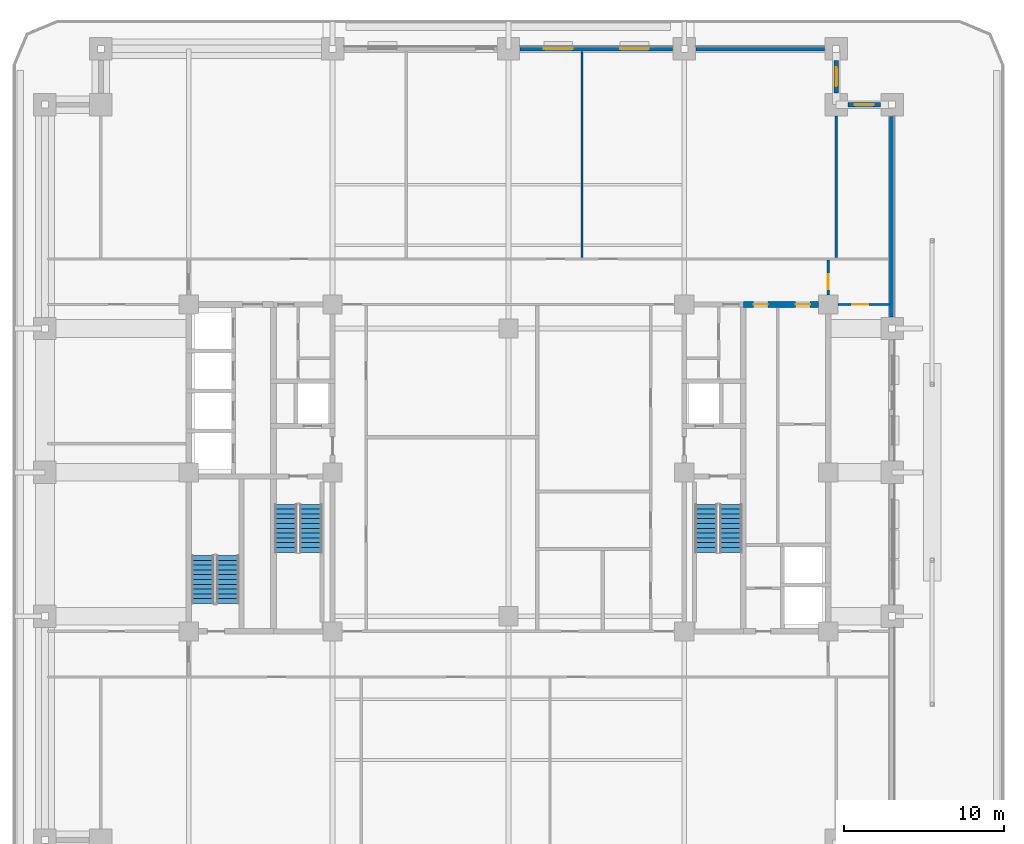
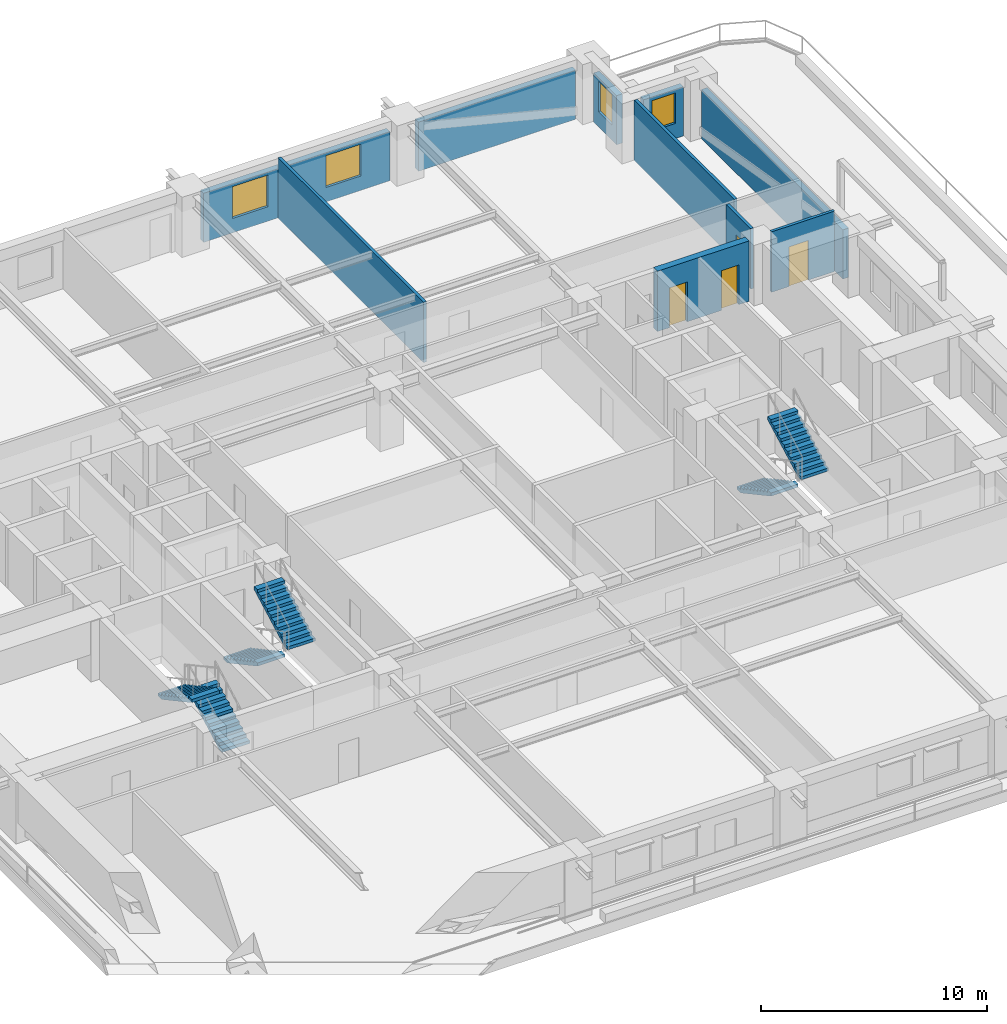
# One storey, part 9 of 18: 10 walls, 6 stair flights, 4 doors, 4 windows, 8 openings, 3 elements without a shape of their own.
"""IFC4 building model written with IfcOpenShell, lengths in metres."""

from ifc_helpers import new_model, si_unit, direction, frame, frame_2d, origin, place, context, subcontext, project, spatial, polyline, rectangle, outline, extrude, material, layer, layer_set, type_object, element, fill, aggregate, save


model = new_model("IFC4")

# Units and contexts
model_context = context("Model", 3, precision=1e-05, world=origin(), true_north=direction((0.0, 1.0)))
body_context = subcontext(model_context, "Body", "Model", "MODEL_VIEW")
ifc_project = project(units=[si_unit("LENGTHUNIT", "METRE"), si_unit("AREAUNIT", "SQUARE_METRE"), si_unit("VOLUMEUNIT", "CUBIC_METRE"), si_unit("PLANEANGLEUNIT", "RADIAN"), si_unit("MASSUNIT", "GRAM", prefix="KILO")], contexts=[model_context])

# Site, building, storey
site_placement = place(None, origin())
site = spatial("IfcSite", under=ifc_project, at=site_placement, CompositionType="ELEMENT")
building_placement = place(site_placement, origin())
building = spatial("IfcBuilding", under=site, at=building_placement, Name="Zulmaris Gate Convention Tower", CompositionType="ELEMENT")
storey_placement = place(building_placement, frame((0.0, 0.0, 57.18994140625)))
storey = spatial("IfcBuildingStorey", under=building, at=storey_placement, Name="L13", CompositionType="ELEMENT", Elevation=57.18994140625)

# Wall, openings, doors
ifc_material_1 = material(Name="Concrete C55/67", Category="concrete")
ifc_layer_1 = layer(ifc_material_1, 0.35009765625, Name="Concrete C55/67")
ifc_layer_set_1 = layer_set([ifc_layer_1], Name="Concrete C55/67")
wall_type_1 = type_object("IfcWallType", Name="CORE-350", PredefinedType="SHEAR", material=ifc_layer_set_1)
wall_1_placement = place(storey_placement, frame((14.699951171875, 10.5, 0.0), z_axis=(0.0, 0.0, 1.0), x_axis=(1.0, 0.0, 0.0)))
wall_1 = element("IfcWall", 1, at=wall_1_placement, inside=storey, type_object=wall_type_1, Name="WL-L13-019", PredefinedType="SHEAR", context=body_context, shape_type="SweptSolid", body=[
    extrude(rectangle(XDim=4.696044921875, YDim=0.35009765625, at=frame_2d((2.34814453125, 0.0))), origin(), (0.0, 0.0, 1.0), 3.27001953125),
])
opening_1_placement = place(wall_1_placement, frame((0.6298828125, 0.0, 0.0)))
opening_1 = element("IfcOpeningElement", 2, at=opening_1_placement, cuts=wall_1, Name="Opening D-12", PredefinedType="OPENING", context=body_context, shape_type="SweptSolid", body=[
    extrude(rectangle(XDim=0.89990234375, YDim=2.14990234375, at=frame_2d((0.449951171875, 1.074951171875))), frame((0.0, 0.18505859375, 0.0), z_axis=(0.0, -1.0, 0.0), x_axis=(1.0, 0.0, 0.0)), (0.0, 0.0, 1.0), 0.3701171875),
])
opening_2_placement = place(wall_1_placement, frame((3.27001953125, 0.0, 0.0)))
opening_2 = element("IfcOpeningElement", 3, at=opening_2_placement, cuts=wall_1, Name="Opening D-12", PredefinedType="OPENING", context=body_context, shape_type="SweptSolid", body=[
    extrude(rectangle(XDim=0.89990234375, YDim=2.14990234375, at=frame_2d((0.449951171875, 1.074951171875))), frame((0.0, 0.18505859375, 0.0), z_axis=(0.0, -1.0, 0.0), x_axis=(1.0, 0.0, 0.0)), (0.0, 0.0, 1.0), 0.3701171875),
])
ifc_material_2 = material(Name="Fire-Rated Timber", Category="wood")
door_type_1 = type_object("IfcDoorType", Name="DR-900-FD", OperationType="NOTDEFINED", PredefinedType="DOOR", material=ifc_material_2)
door_1_placement = place(opening_1_placement, origin())
door_1 = element("IfcDoor", 4, at=door_1_placement, inside=storey, type_object=door_type_1, Name="L13 East Comms Door 21", OperationType="SINGLE_SWING_LEFT", OverallHeight=2.14990234375, OverallWidth=0.89990234375, PredefinedType="DOOR", context=body_context, shape_type="SweptSolid", body=[
    extrude(rectangle(XDim=0.89990234375, YDim=2.14990234375, at=frame_2d((0.449951171875, 1.074951171875))), frame((0.0, 0.02490234375, 0.0), z_axis=(0.0, -1.0, 0.0), x_axis=(1.0, 0.0, 0.0)), (0.0, 0.0, 1.0), 0.050048828125),
])
fill(opening_1, door_1)
door_2_placement = place(opening_2_placement, origin())
door_2 = element("IfcDoor", 5, at=door_2_placement, inside=storey, type_object=door_type_1, Name="L13 East Archive Vault Door 22", OperationType="SINGLE_SWING_RIGHT", OverallHeight=2.14990234375, OverallWidth=0.89990234375, PredefinedType="DOOR", context=body_context, shape_type="SweptSolid", body=[
    extrude(rectangle(XDim=0.89990234375, YDim=2.14990234375, at=frame_2d((0.449951171875, 1.074951171875))), frame((0.0, 0.02490234375, 0.0), z_axis=(0.0, -1.0, 0.0), x_axis=(1.0, 0.0, 0.0)), (0.0, 0.0, 1.0), 0.050048828125),
])
fill(opening_2, door_2)

# Wall, opening, door
ifc_material_3 = material(Name="Gypsum Metal Stud Partition")
ifc_layer_2 = layer(ifc_material_3, 0.14990234375, Name="Gypsum Metal Stud Partition")
ifc_layer_set_2 = layer_set([ifc_layer_2], Name="Gypsum Metal Stud Partition")
wall_type_2 = type_object("IfcWallType", Name="PART-150", PredefinedType="PARTITIONING", material=ifc_layer_set_2)
wall_2_placement = place(storey_placement, frame((20.60595703125, 10.5, 0.0), z_axis=(0.0, 0.0, 1.0), x_axis=(1.0, 0.0, 0.0)))
wall_2 = element("IfcWall", 6, at=wall_2_placement, inside=storey, type_object=wall_type_2, Name="WL-L13-035", PredefinedType="PARTITIONING", context=body_context, shape_type="SweptSolid", body=[
    extrude(rectangle(XDim=3.22900390625, YDim=0.14990234375, at=frame_2d((1.614501953125, 0.0))), origin(), (0.0, 0.0, 1.0), 3.27001953125),
])
opening_3_placement = place(wall_2_placement, frame((0.89404296875, 0.0, 0.0)))
opening_3 = element("IfcOpeningElement", 7, at=opening_3_placement, cuts=wall_2, Name="Opening D-10", PredefinedType="OPENING", context=body_context, shape_type="SweptSolid", body=[
    extrude(rectangle(XDim=1.0, YDim=2.14990234375, at=frame_2d((0.5, 1.074951171875))), frame((0.0, 0.0849609375, 0.0), z_axis=(0.0, -1.0, 0.0), x_axis=(1.0, 0.0, 0.0)), (0.0, 0.0, 1.0), 0.169921875),
])
door_type_2 = type_object("IfcDoorType", Name="DR-1000-FD", OperationType="NOTDEFINED", PredefinedType="DOOR", material=ifc_material_2)
door_3_placement = place(opening_3_placement, origin())
door_3 = element("IfcDoor", 8, at=door_3_placement, inside=storey, type_object=door_type_2, Name="L13 East Workplace North Door 46", OperationType="SINGLE_SWING_RIGHT", OverallHeight=2.14990234375, OverallWidth=1.0, PredefinedType="DOOR", context=body_context, shape_type="SweptSolid", body=[
    extrude(rectangle(XDim=1.0, YDim=2.14990234375, at=frame_2d((0.5, 1.074951171875))), frame((0.0, 0.02490234375, 0.0), z_axis=(0.0, -1.0, 0.0), x_axis=(1.0, 0.0, 0.0)), (0.0, 0.0, 1.0), 0.050048828125),
])
fill(opening_3, door_3)

# Wall
wall_3_placement = place(storey_placement, frame((4.60009765625, 13.427978515625, 0.0), z_axis=(0.0, 0.0, 1.0), x_axis=(0.0, 1.0, 0.0)))
element("IfcWall", 9, at=wall_3_placement, inside=storey, type_object=wall_type_2, Name="WL-L13-087", PredefinedType="PARTITIONING", context=body_context, shape_type="SweptSolid", body=[
    extrude(rectangle(XDim=12.906982421875, YDim=0.14990234375, at=frame_2d((6.45361328125, 0.0))), origin(), (0.0, 0.0, 1.0), 3.27001953125),
])

# Wall, opening, door
wall_4_placement = place(storey_placement, frame((20.0, 11.10595703125, 0.0), z_axis=(0.0, 0.0, 1.0), x_axis=(0.0, 1.0, 0.0)))
wall_4 = element("IfcWall", 10, at=wall_4_placement, inside=storey, type_object=wall_type_2, Name="WL-L13-097", PredefinedType="PARTITIONING", context=body_context, shape_type="SweptSolid", body=[
    extrude(rectangle(XDim=2.166015625, YDim=0.14990234375, at=frame_2d((1.0830078125, 0.0))), origin(), (0.0, 0.0, 1.0), 3.27001953125),
])
opening_4_placement = place(wall_4_placement, frame((0.34912109375, 0.0, 0.0)))
opening_4 = element("IfcOpeningElement", 11, at=opening_4_placement, cuts=wall_4, Name="Opening D-11", PredefinedType="OPENING", context=body_context, shape_type="SweptSolid", body=[
    extrude(rectangle(XDim=0.949951171875, YDim=2.14990234375, at=frame_2d((0.47509765625, 1.074951171875))), frame((0.0, 0.0849609375, 0.0), z_axis=(0.0, -1.0, 0.0), x_axis=(1.0, 0.0, 0.0)), (0.0, 0.0, 1.0), 0.169921875),
])
door_type_3 = type_object("IfcDoorType", Name="DR-950-FD", OperationType="NOTDEFINED", PredefinedType="DOOR", material=ifc_material_2)
door_4_placement = place(opening_4_placement, origin())
door_4 = element("IfcDoor", 12, at=door_4_placement, inside=storey, type_object=door_type_3, Name="L13 NE Spur Door 44", OperationType="SINGLE_SWING_RIGHT", OverallHeight=2.14990234375, OverallWidth=0.949951171875, PredefinedType="DOOR", context=body_context, shape_type="SweptSolid", body=[
    extrude(rectangle(XDim=0.949951171875, YDim=2.14990234375, at=frame_2d((0.47509765625, 1.074951171875))), frame((0.0, 0.02490234375, 0.0), z_axis=(0.0, -1.0, 0.0), x_axis=(1.0, 0.0, 0.0)), (0.0, 0.0, 1.0), 0.050048828125),
])
fill(opening_4, door_4)

# Wall
wall_5_placement = place(storey_placement, frame((20.5, 13.427978515625, 0.0), z_axis=(0.0, 0.0, 1.0), x_axis=(0.0, 1.0, 0.0)))
element("IfcWall", 13, at=wall_5_placement, inside=storey, type_object=wall_type_2, Name="WL-L13-099", PredefinedType="PARTITIONING", context=body_context, shape_type="SweptSolid", body=[
    extrude(rectangle(XDim=8.865966796875, YDim=0.14990234375, at=frame_2d((4.43310546875, 0.0))), origin(), (0.0, 0.0, 1.0), 3.27001953125),
])

# Wall, opening, window
ifc_material_4 = material(Name="Precast concrete C40/50", Category="concrete")
ifc_layer_3 = layer(ifc_material_4, 0.300048828125, Name="Precast concrete C40/50")
ifc_layer_set_3 = layer_set([ifc_layer_3], Name="Precast concrete C40/50")
wall_type_3 = type_object("IfcWallType", Name="PRECAST-PIER-300", PredefinedType="STANDARD", material=ifc_layer_set_3)
wall_6_placement = place(storey_placement, frame((23.27001953125, 23.0, 0.0), z_axis=(0.0, 0.0, 1.0), x_axis=(-1.0, 0.0, 0.0)))
wall_6 = element("IfcWall", 14, at=wall_6_placement, inside=storey, type_object=wall_type_3, Name="EW-L13-NOTCH-NE1_0", PredefinedType="STANDARD", context=body_context, shape_type="SweptSolid", body=[
    extrude(rectangle(XDim=2.0400390625, YDim=0.300048828125, at=frame_2d((1.02001953125, 0.0))), origin(), (0.0, 0.0, 1.0), 2.662109375),
])
opening_5_placement = place(wall_6_placement, frame((0.419921875, 0.0, 0.820068359375)))
opening_5 = element("IfcOpeningElement", 15, at=opening_5_placement, cuts=wall_6, Name="Opening W-04", PredefinedType="OPENING", context=body_context, shape_type="SweptSolid", body=[
    extrude(rectangle(XDim=1.199951171875, YDim=1.64990234375, at=frame_2d((0.60009765625, 0.824951171875))), frame((0.0, 0.16015625, 0.0), z_axis=(0.0, -1.0, 0.0), x_axis=(1.0, 0.0, 0.0)), (0.0, 0.0, 1.0), 0.320068359375),
])
ifc_material_5 = material(Name="Low-E Laminated Double Glazing in Aluminium Frame", Category="aluminium")
window_type_1 = type_object("IfcWindowType", Name="WIN-1200x2100", PartitioningType="SINGLE_PANEL", PredefinedType="WINDOW", material=ifc_material_5)
window_1_placement = place(opening_5_placement, origin())
window_1 = element("IfcWindow", 16, at=window_1_placement, inside=storey, type_object=window_type_1, Name="WN-EW-L13-NOTCH-NE1_0", OverallHeight=1.64990234375, OverallWidth=1.199951171875, PartitioningType="SINGLE_PANEL", PredefinedType="WINDOW", context=body_context, shape_type="SweptSolid", body=[
    extrude(rectangle(XDim=1.199951171875, YDim=1.64990234375, at=frame_2d((0.60009765625, 0.824951171875))), frame((0.0, 0.030029296875, 0.0), z_axis=(0.0, -1.0, 0.0), x_axis=(1.0, 0.0, 0.0)), (0.0, 0.0, 1.0), 0.06005859375),
])
fill(opening_5, window_1)

wall_7_placement = place(storey_placement, frame((20.5, 23.72998046875, 0.0), z_axis=(0.0, 0.0, 1.0), x_axis=(0.0, 1.0, 0.0)))
wall_7 = element("IfcWall", 17, at=wall_7_placement, inside=storey, type_object=wall_type_3, Name="EW-L13-NOTCH-NE2_0", PredefinedType="STANDARD", context=body_context, shape_type="SweptSolid", body=[
    extrude(rectangle(XDim=2.0400390625, YDim=0.300048828125, at=frame_2d((1.02001953125, 0.0))), origin(), (0.0, 0.0, 1.0), 2.662109375),
])
opening_6_placement = place(wall_7_placement, frame((0.419921875, 0.0, 0.820068359375)))
opening_6 = element("IfcOpeningElement", 18, at=opening_6_placement, cuts=wall_7, Name="Opening W-04", PredefinedType="OPENING", context=body_context, shape_type="SweptSolid", body=[
    extrude(rectangle(XDim=1.199951171875, YDim=1.64990234375, at=frame_2d((0.60009765625, 0.824951171875))), frame((0.0, 0.16015625, 0.0), z_axis=(0.0, -1.0, 0.0), x_axis=(1.0, 0.0, 0.0)), (0.0, 0.0, 1.0), 0.320068359375),
])
window_2_placement = place(opening_6_placement, origin())
window_2 = element("IfcWindow", 19, at=window_2_placement, inside=storey, type_object=window_type_1, Name="WN-EW-L13-NOTCH-NE2_0", OverallHeight=1.64990234375, OverallWidth=1.199951171875, PartitioningType="SINGLE_PANEL", PredefinedType="WINDOW", context=body_context, shape_type="SweptSolid", body=[
    extrude(rectangle(XDim=1.199951171875, YDim=1.64990234375, at=frame_2d((0.60009765625, 0.824951171875))), frame((0.0, 0.030029296875, 0.0), z_axis=(0.0, -1.0, 0.0), x_axis=(1.0, 0.0, 0.0)), (0.0, 0.0, 1.0), 0.06005859375),
])
fill(opening_6, window_2)

# Wall, openings, windows
wall_8_placement = place(storey_placement, frame((10.27001953125, 26.5, 0.0), z_axis=(0.0, 0.0, 1.0), x_axis=(-1.0, 0.0, 0.0)))
wall_8 = element("IfcWall", 20, at=wall_8_placement, inside=storey, type_object=wall_type_3, Name="EW-L13-N-2_0", PredefinedType="STANDARD", context=body_context, shape_type="SweptSolid", body=[
    extrude(rectangle(XDim=9.5400390625, YDim=0.300048828125, at=frame_2d((4.77001953125, 0.0))), origin(), (0.0, 0.0, 1.0), 2.662109375),
])
opening_7_placement = place(wall_8_placement, frame((1.485107421875, 0.0, 0.780029296875)))
opening_7 = element("IfcOpeningElement", 21, at=opening_7_placement, cuts=wall_8, Name="Opening W-02", PredefinedType="OPENING", context=body_context, shape_type="SweptSolid", body=[
    extrude(rectangle(XDim=1.800048828125, YDim=1.719970703125, at=frame_2d((0.89990234375, 0.85986328125))), frame((0.0, 0.16015625, 0.0), z_axis=(0.0, -1.0, 0.0), x_axis=(1.0, 0.0, 0.0)), (0.0, 0.0, 1.0), 0.320068359375),
])
opening_8_placement = place(wall_8_placement, frame((6.2548828125, 0.0, 0.780029296875)))
opening_8 = element("IfcOpeningElement", 22, at=opening_8_placement, cuts=wall_8, Name="Opening W-02", PredefinedType="OPENING", context=body_context, shape_type="SweptSolid", body=[
    extrude(rectangle(XDim=1.800048828125, YDim=1.719970703125, at=frame_2d((0.89990234375, 0.85986328125))), frame((0.0, 0.16015625, 0.0), z_axis=(0.0, -1.0, 0.0), x_axis=(1.0, 0.0, 0.0)), (0.0, 0.0, 1.0), 0.320068359375),
])
window_type_2 = type_object("IfcWindowType", Name="WIN-1800x2200", PartitioningType="SINGLE_PANEL", PredefinedType="WINDOW", material=ifc_material_5)
window_3_placement = place(opening_7_placement, origin())
window_3 = element("IfcWindow", 23, at=window_3_placement, inside=storey, type_object=window_type_2, Name="WN-EW-L13-N-2_0-1", OverallHeight=1.719970703125, OverallWidth=1.800048828125, PartitioningType="SINGLE_PANEL", PredefinedType="WINDOW", context=body_context, shape_type="SweptSolid", body=[
    extrude(rectangle(XDim=1.800048828125, YDim=1.719970703125, at=frame_2d((0.89990234375, 0.85986328125))), frame((0.0, 0.030029296875, 0.0), z_axis=(0.0, -1.0, 0.0), x_axis=(1.0, 0.0, 0.0)), (0.0, 0.0, 1.0), 0.06005859375),
])
fill(opening_7, window_3)
window_4_placement = place(opening_8_placement, origin())
window_4 = element("IfcWindow", 24, at=window_4_placement, inside=storey, type_object=window_type_2, Name="WN-EW-L13-N-2_0-3", OverallHeight=1.719970703125, OverallWidth=1.800048828125, PartitioningType="SINGLE_PANEL", PredefinedType="WINDOW", context=body_context, shape_type="SweptSolid", body=[
    extrude(rectangle(XDim=1.800048828125, YDim=1.719970703125, at=frame_2d((0.89990234375, 0.85986328125))), frame((0.0, 0.030029296875, 0.0), z_axis=(0.0, -1.0, 0.0), x_axis=(1.0, 0.0, 0.0)), (0.0, 0.0, 1.0), 0.06005859375),
])
fill(opening_8, window_4)

# Walls
wall_9_placement = place(storey_placement, frame((19.77001953125, 26.5, 0.0), z_axis=(0.0, 0.0, 1.0), x_axis=(-1.0, 0.0, 0.0)))
element("IfcWall", 25, at=wall_9_placement, inside=storey, type_object=wall_type_3, Name="EW-L13-N-3_0", PredefinedType="STANDARD", context=body_context, shape_type="SweptSolid", body=[
    extrude(rectangle(XDim=8.0400390625, YDim=0.300048828125, at=frame_2d((4.02001953125, 0.0))), origin(), (0.0, 0.0, 1.0), 2.662109375),
])
wall_10_placement = place(storey_placement, frame((24.0, 9.72998046875, 0.0), z_axis=(0.0, 0.0, 1.0), x_axis=(0.0, 1.0, 0.0)))
element("IfcWall", 26, at=wall_10_placement, inside=storey, type_object=wall_type_3, Name="EW-L13-E-3_0", PredefinedType="STANDARD", context=body_context, shape_type="SweptSolid", body=[
    extrude(rectangle(XDim=12.5400390625, YDim=0.300048828125, at=frame_2d((6.27001953125, 0.0))), origin(), (0.0, 0.0, 1.0), 2.662109375),
])

# Stair, stair flights
ifc_material_6 = material(Name="Concrete C45/55", Category="concrete")
stair_type = type_object("IfcStairType", Name="ST-CORE-DOGLEG", PredefinedType="HALF_TURN_STAIR", material=ifc_material_6)
stair_1_placement = place(storey_placement, origin())
stair_1 = element("IfcStair", 27, at=stair_1_placement, inside=storey, type_object=stair_type, Name="L13 Core Exit Stair ST-1", PredefinedType="HALF_TURN_STAIR")
ifc_layer_4 = layer(ifc_material_6, 0.14990234375, Name="Concrete C45/55")
ifc_layer_set_4 = layer_set([ifc_layer_4], Name="Concrete C45/55")
stair_flight_type = type_object("IfcStairFlightType", Name="STF-RC150", PredefinedType="STRAIGHT", material=ifc_layer_set_4)
stair_flight_1_placement = place(storey_placement, frame((-13.919921875, -2.0, 0.0), z_axis=(0.0, 0.0, 1.0), x_axis=(0.0, -1.0, 0.0)))
stair_flight_1 = element("IfcStairFlight", 28, at=stair_flight_1_placement, type_object=stair_flight_type, Name="ST-1 flight 1", NumberOfRisers=11, NumberOfTreads=10, PredefinedType="STRAIGHT", RiserHeight=0.162277273, TreadLength=0.3, context=body_context, shape_type="SweptSolid", body=[
    extrude(outline(polyline([(0.0, 0.0), (0.0, 0.162353515625), (0.300048828125, 0.162353515625), (0.300048828125, 0.324462890625), (0.60009765625, 0.324462890625), (0.60009765625, 0.48681640625), (0.89990234375, 0.48681640625), (0.89990234375, 0.649169921875), (1.199951171875, 0.649169921875), (1.199951171875, 0.811279296875), (1.5, 0.811279296875), (1.5, 0.9736328125), (1.800048828125, 0.9736328125), (1.800048828125, 1.135986328125), (2.10009765625, 1.135986328125), (2.10009765625, 1.29833984375), (2.39990234375, 1.29833984375), (2.39990234375, 1.46044921875), (2.699951171875, 1.46044921875), (2.699951171875, 1.622802734375), (3.0, 1.622802734375), (3.0, 1.78515625), (3.0, 1.452392578125), (0.315185546875, 0.0), (0.0, 0.0)])), frame((0.0, 0.699951171875, 0.0), z_axis=(0.0, -1.0, 0.0), x_axis=(1.0, 0.0, 0.0)), (0.0, 0.0, 1.0), 1.39990234375),
])
stair_flight_2_placement = place(storey_placement, frame((-12.360107421875, -5.0, 1.784912109375), z_axis=(0.0, 0.0, 1.0), x_axis=(0.0, 1.0, 0.0)))
stair_flight_2 = element("IfcStairFlight", 29, at=stair_flight_2_placement, type_object=stair_flight_type, Name="ST-1 flight 2", NumberOfRisers=11, NumberOfTreads=10, PredefinedType="STRAIGHT", RiserHeight=0.162277273, TreadLength=0.3, context=body_context, shape_type="SweptSolid", body=[
    extrude(outline(polyline([(0.0, 0.0), (0.0, 0.162353515625), (0.300048828125, 0.162353515625), (0.300048828125, 0.324462890625), (0.60009765625, 0.324462890625), (0.60009765625, 0.48681640625), (0.89990234375, 0.48681640625), (0.89990234375, 0.649169921875), (1.199951171875, 0.649169921875), (1.199951171875, 0.811279296875), (1.5, 0.811279296875), (1.5, 0.9736328125), (1.800048828125, 0.9736328125), (1.800048828125, 1.135986328125), (2.10009765625, 1.135986328125), (2.10009765625, 1.29833984375), (2.39990234375, 1.29833984375), (2.39990234375, 1.46044921875), (2.699951171875, 1.46044921875), (2.699951171875, 1.622802734375), (3.0, 1.622802734375), (3.0, 1.78515625), (3.0, 1.452392578125), (0.315185546875, 0.0), (0.0, 0.0)])), frame((0.0, 0.699951171875, 0.0), z_axis=(0.0, -1.0, 0.0), x_axis=(1.0, 0.0, 0.0)), (0.0, 0.0, 1.0), 1.39990234375),
])
aggregate(stair_1, [stair_flight_1, stair_flight_2])

stair_2_placement = place(storey_placement, origin())
stair_2 = element("IfcStair", 30, at=stair_2_placement, inside=storey, type_object=stair_type, Name="L13 Core Exit Stair ST-2", PredefinedType="HALF_TURN_STAIR")
stair_flight_3_placement = place(storey_placement, frame((12.360107421875, -2.0, 0.0), z_axis=(0.0, 0.0, 1.0), x_axis=(0.0, -1.0, 0.0)))
stair_flight_3 = element("IfcStairFlight", 31, at=stair_flight_3_placement, type_object=stair_flight_type, Name="ST-2 flight 1", NumberOfRisers=11, NumberOfTreads=10, PredefinedType="STRAIGHT", RiserHeight=0.162277273, TreadLength=0.3, context=body_context, shape_type="SweptSolid", body=[
    extrude(outline(polyline([(0.0, 0.0), (0.0, 0.162353515625), (0.300048828125, 0.162353515625), (0.300048828125, 0.324462890625), (0.60009765625, 0.324462890625), (0.60009765625, 0.48681640625), (0.89990234375, 0.48681640625), (0.89990234375, 0.649169921875), (1.199951171875, 0.649169921875), (1.199951171875, 0.811279296875), (1.5, 0.811279296875), (1.5, 0.9736328125), (1.800048828125, 0.9736328125), (1.800048828125, 1.135986328125), (2.10009765625, 1.135986328125), (2.10009765625, 1.29833984375), (2.39990234375, 1.29833984375), (2.39990234375, 1.46044921875), (2.699951171875, 1.46044921875), (2.699951171875, 1.622802734375), (3.0, 1.622802734375), (3.0, 1.78515625), (3.0, 1.452392578125), (0.315185546875, 0.0), (0.0, 0.0)])), frame((0.0, 0.699951171875, 0.0), z_axis=(0.0, -1.0, 0.0), x_axis=(1.0, 0.0, 0.0)), (0.0, 0.0, 1.0), 1.39990234375),
])
stair_flight_4_placement = place(storey_placement, frame((13.919921875, -5.0, 1.784912109375), z_axis=(0.0, 0.0, 1.0), x_axis=(0.0, 1.0, 0.0)))
stair_flight_4 = element("IfcStairFlight", 32, at=stair_flight_4_placement, type_object=stair_flight_type, Name="ST-2 flight 2", NumberOfRisers=11, NumberOfTreads=10, PredefinedType="STRAIGHT", RiserHeight=0.162277273, TreadLength=0.3, context=body_context, shape_type="SweptSolid", body=[
    extrude(outline(polyline([(0.0, 0.0), (0.0, 0.162353515625), (0.300048828125, 0.162353515625), (0.300048828125, 0.324462890625), (0.60009765625, 0.324462890625), (0.60009765625, 0.48681640625), (0.89990234375, 0.48681640625), (0.89990234375, 0.649169921875), (1.199951171875, 0.649169921875), (1.199951171875, 0.811279296875), (1.5, 0.811279296875), (1.5, 0.9736328125), (1.800048828125, 0.9736328125), (1.800048828125, 1.135986328125), (2.10009765625, 1.135986328125), (2.10009765625, 1.29833984375), (2.39990234375, 1.29833984375), (2.39990234375, 1.46044921875), (2.699951171875, 1.46044921875), (2.699951171875, 1.622802734375), (3.0, 1.622802734375), (3.0, 1.78515625), (3.0, 1.452392578125), (0.315185546875, 0.0), (0.0, 0.0)])), frame((0.0, 0.699951171875, 0.0), z_axis=(0.0, -1.0, 0.0), x_axis=(1.0, 0.0, 0.0)), (0.0, 0.0, 1.0), 1.39990234375),
])
aggregate(stair_2, [stair_flight_3, stair_flight_4])

stair_3_placement = place(storey_placement, origin())
stair_3 = element("IfcStair", 33, at=stair_3_placement, inside=storey, type_object=stair_type, Name="L13 Core Exit Stair ST-3", PredefinedType="HALF_TURN_STAIR")
stair_flight_5_placement = place(storey_placement, frame((-17.56005859375, -8.199951171875, 0.0), z_axis=(0.0, 0.0, 1.0), x_axis=(0.0, 1.0, 0.0)))
stair_flight_5 = element("IfcStairFlight", 34, at=stair_flight_5_placement, type_object=stair_flight_type, Name="ST-3 flight 1", NumberOfRisers=11, NumberOfTreads=10, PredefinedType="STRAIGHT", RiserHeight=0.162277273, TreadLength=0.3, context=body_context, shape_type="SweptSolid", body=[
    extrude(outline(polyline([(0.0, 0.0), (0.0, 0.162353515625), (0.300048828125, 0.162353515625), (0.300048828125, 0.324462890625), (0.60009765625, 0.324462890625), (0.60009765625, 0.48681640625), (0.89990234375, 0.48681640625), (0.89990234375, 0.649169921875), (1.199951171875, 0.649169921875), (1.199951171875, 0.811279296875), (1.5, 0.811279296875), (1.5, 0.9736328125), (1.800048828125, 0.9736328125), (1.800048828125, 1.135986328125), (2.10009765625, 1.135986328125), (2.10009765625, 1.29833984375), (2.39990234375, 1.29833984375), (2.39990234375, 1.46044921875), (2.699951171875, 1.46044921875), (2.699951171875, 1.622802734375), (3.0, 1.622802734375), (3.0, 1.78515625), (3.0, 1.452392578125), (0.315185546875, 0.0), (0.0, 0.0)])), frame((0.0, 0.699951171875, 0.0), z_axis=(0.0, -1.0, 0.0), x_axis=(1.0, 0.0, 0.0)), (0.0, 0.0, 1.0), 1.39990234375),
])
stair_flight_6_placement = place(storey_placement, frame((-19.1201171875, -5.199951171875, 1.784912109375), z_axis=(0.0, 0.0, 1.0), x_axis=(0.0, -1.0, 0.0)))
stair_flight_6 = element("IfcStairFlight", 35, at=stair_flight_6_placement, type_object=stair_flight_type, Name="ST-3 flight 2", NumberOfRisers=11, NumberOfTreads=10, PredefinedType="STRAIGHT", RiserHeight=0.162277273, TreadLength=0.3, context=body_context, shape_type="SweptSolid", body=[
    extrude(outline(polyline([(0.0, 0.0), (0.0, 0.162353515625), (0.300048828125, 0.162353515625), (0.300048828125, 0.324462890625), (0.60009765625, 0.324462890625), (0.60009765625, 0.48681640625), (0.89990234375, 0.48681640625), (0.89990234375, 0.649169921875), (1.199951171875, 0.649169921875), (1.199951171875, 0.811279296875), (1.5, 0.811279296875), (1.5, 0.9736328125), (1.800048828125, 0.9736328125), (1.800048828125, 1.135986328125), (2.10009765625, 1.135986328125), (2.10009765625, 1.29833984375), (2.39990234375, 1.29833984375), (2.39990234375, 1.46044921875), (2.699951171875, 1.46044921875), (2.699951171875, 1.622802734375), (3.0, 1.622802734375), (3.0, 1.78515625), (3.0, 1.452392578125), (0.315185546875, 0.0), (0.0, 0.0)])), frame((0.0, 0.699951171875, 0.0), z_axis=(0.0, -1.0, 0.0), x_axis=(1.0, 0.0, 0.0)), (0.0, 0.0, 1.0), 1.39990234375),
])
aggregate(stair_3, [stair_flight_5, stair_flight_6])

save(model, "model.ifc")
